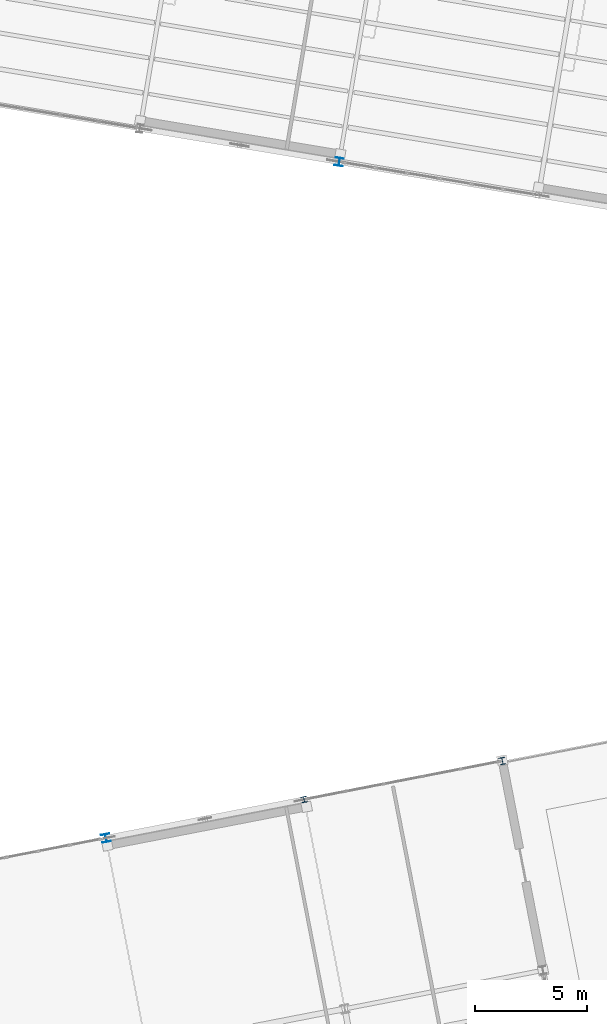
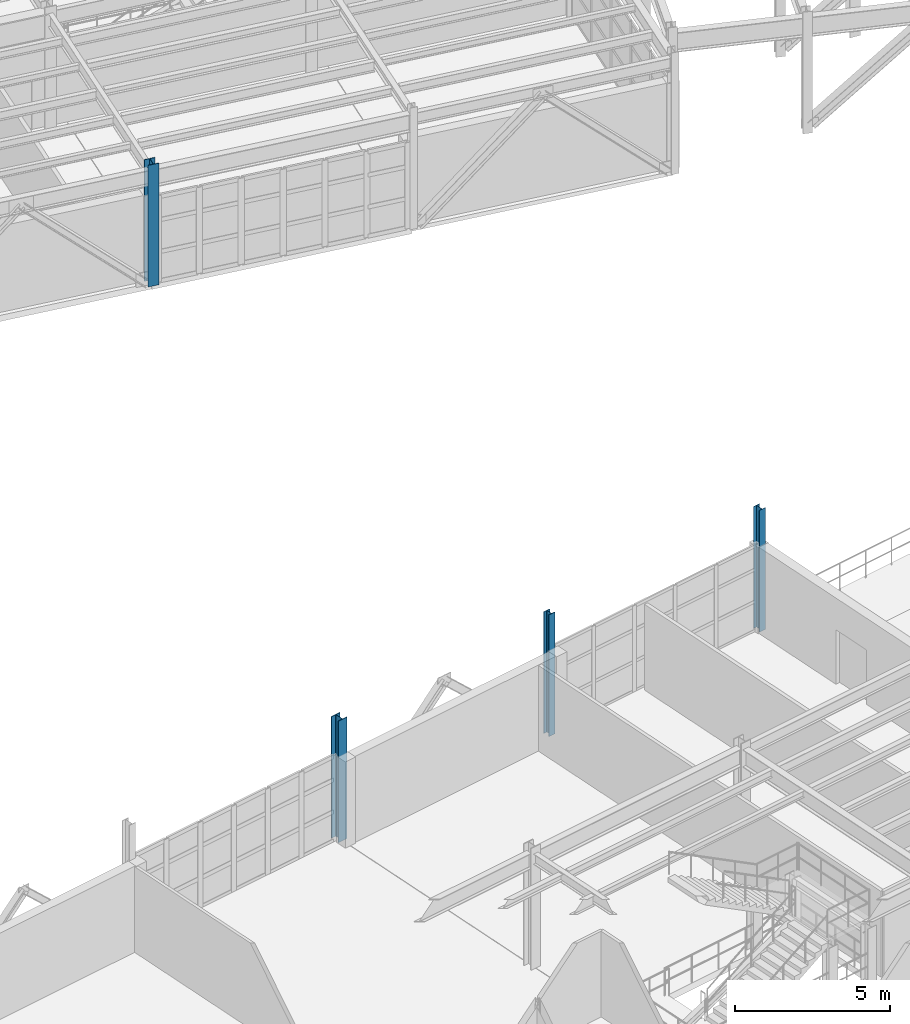
# One storey, part 4 of 109: 4 columns.
"""IFC4 building model written with IfcOpenShell, lengths in metres."""

from ifc_helpers import new_model, si_unit, direction, frame, origin, origin_2d, place, context, subcontext, project, spatial, i_section, extrude, material, material_profile, profile_set, type_object, element, save


model = new_model("IFC4")

# Units and contexts
model_context = context("Model", 3, precision=1e-05, world=origin(), true_north=direction((0.0, 1.0)))
body_context = subcontext(model_context, "Body", "Model", "MODEL_VIEW")
ifc_project = project(units=[si_unit("LENGTHUNIT", "METRE"), si_unit("AREAUNIT", "SQUARE_METRE"), si_unit("VOLUMEUNIT", "CUBIC_METRE"), si_unit("PLANEANGLEUNIT", "RADIAN"), si_unit("MASSUNIT", "GRAM", prefix="KILO")], contexts=[model_context])

# Site, building, storey
site_placement = place(None, origin())
site = spatial("IfcSite", under=ifc_project, at=site_placement, CompositionType="ELEMENT")
building_placement = place(site_placement, origin())
building = spatial("IfcBuilding", under=site, at=building_placement, Name="Vireo Bluff Cable Station", CompositionType="ELEMENT")
storey_placement = place(building_placement, frame((0.0, 0.0, 4.800048828125)))
storey = spatial("IfcBuildingStorey", under=building, at=storey_placement, Name="L01", CompositionType="ELEMENT", Elevation=4.800048828125)

# Columns
ifc_material = material(Name="Steel ASTM A992 Gr. 50", Category="steel")
ifc_material_profile_1 = material_profile(ifc_material, i_section(OverallWidth=0.3701171875, OverallDepth=0.360107421875, WebThickness=0.01220703125, FlangeThickness=0.019775390625, FilletRadius=0.014892578125, at=origin_2d()), Name="W14X99")
ifc_profile_set_1 = profile_set([ifc_material_profile_1], Name="Steel ASTM A992 Gr. 50")
column_type_1 = type_object("IfcColumnType", Name="ECOL-W14X99", PredefinedType="COLUMN", material=ifc_profile_set_1)
for number, where, z_axis, x_axis, name in (
    (1, (32.129638671875, 67.043701171875, 0.0), (0.0, 0.0, 1.0), (0.986285601537, -0.165047605861, 0.0), "V4 L01 column 292"),
    (2, (21.731201171875, 36.910888671875, 0.0), (0.0, 0.0, 1.0), (0.981627183448, 0.190808995377, 0.0), "V5 L01 column 362"),
):
    element("IfcColumn", number, at=place(storey_placement, frame(where, z_axis=z_axis, x_axis=x_axis)), inside=storey, type_object=column_type_1, Name=name, PredefinedType="COLUMN", context=body_context, shape_type="SweptSolid", body=[
        extrude(i_section(OverallWidth=0.3701171875, OverallDepth=0.360107421875, WebThickness=0.01220703125, FlangeThickness=0.019775390625, FilletRadius=0.014892578125, at=origin_2d()), origin(), (0.0, 0.0, 1.0), 4.800048828125),
    ])
ifc_material_profile_2 = material_profile(ifc_material, i_section(OverallWidth=0.2548828125, OverallDepth=0.256103515625, WebThickness=0.009521484375, FlangeThickness=0.015625, FilletRadius=0.009033203125, at=origin_2d()), Name="W10X54")
ifc_profile_set_2 = profile_set([ifc_material_profile_2], Name="Steel ASTM A992 Gr. 50")
column_type_2 = type_object("IfcColumnType", Name="PIL-W10X54", PredefinedType="PILASTER", material=ifc_profile_set_2)
column_1_placement = place(storey_placement, frame((30.56591796875, 38.628173828125, 0.0), z_axis=(0.0, 0.0, 1.0), x_axis=(0.981627183448, 0.190808995377, 0.0)))
element("IfcColumn", 3, at=column_1_placement, inside=storey, type_object=column_type_2, Name="V5 L01 column 373", PredefinedType="PILASTER", context=body_context, shape_type="SweptSolid", body=[
    extrude(i_section(OverallWidth=0.2548828125, OverallDepth=0.256103515625, WebThickness=0.009521484375, FlangeThickness=0.015625, FilletRadius=0.009033203125, at=origin_2d()), origin(), (0.0, 0.0, 1.0), 4.800048828125),
])
ifc_material_profile_3 = material_profile(ifc_material, i_section(OverallWidth=0.25390625, OverallDepth=0.305908203125, WebThickness=0.0087890625, FlangeThickness=0.0146484375, FilletRadius=0.010986328125, at=origin_2d()), Name="W12X53")
ifc_profile_set_3 = profile_set([ifc_material_profile_3], Name="Steel ASTM A992 Gr. 50")
column_type_3 = type_object("IfcColumnType", Name="PIL-W12X53", PredefinedType="PILASTER", material=ifc_profile_set_3)
column_2_placement = place(storey_placement, frame((39.400634765625, 40.345458984375, 0.0), z_axis=(0.0, 0.0, 1.0), x_axis=(0.981627183448, 0.190808995377, 0.0)))
element("IfcColumn", 4, at=column_2_placement, inside=storey, type_object=column_type_3, Name="V5 L01 column 381", PredefinedType="PILASTER", context=body_context, shape_type="SweptSolid", body=[
    extrude(i_section(OverallWidth=0.25390625, OverallDepth=0.305908203125, WebThickness=0.0087890625, FlangeThickness=0.0146484375, FilletRadius=0.010986328125, at=origin_2d()), origin(), (0.0, 0.0, 1.0), 4.800048828125),
])

save(model, "model.ifc")
